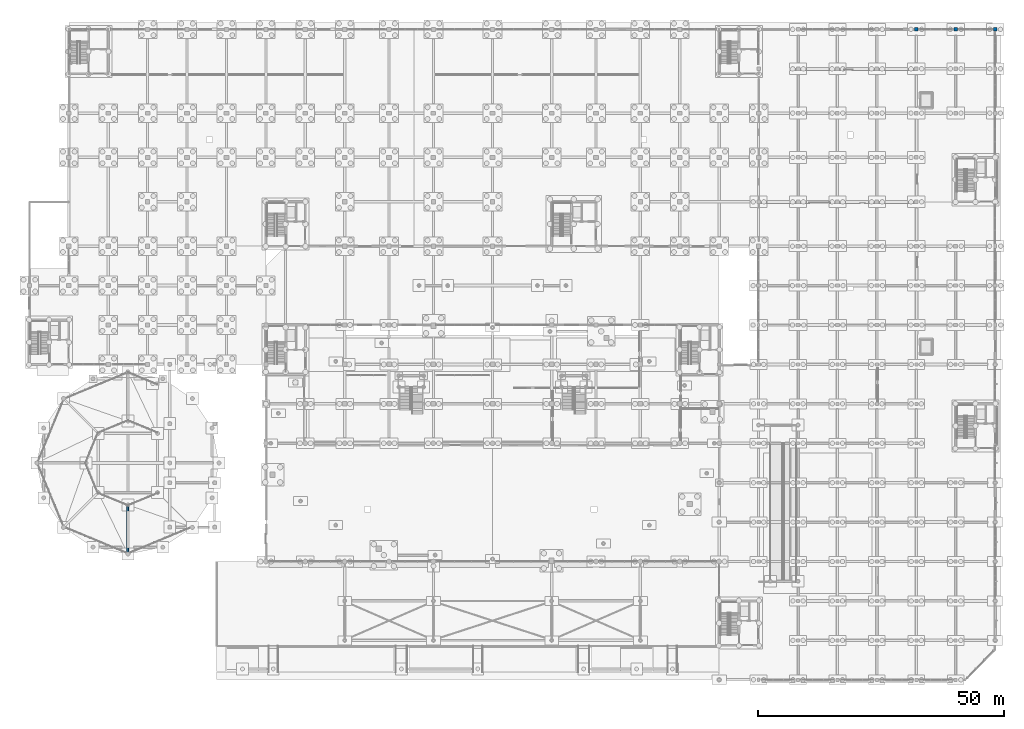
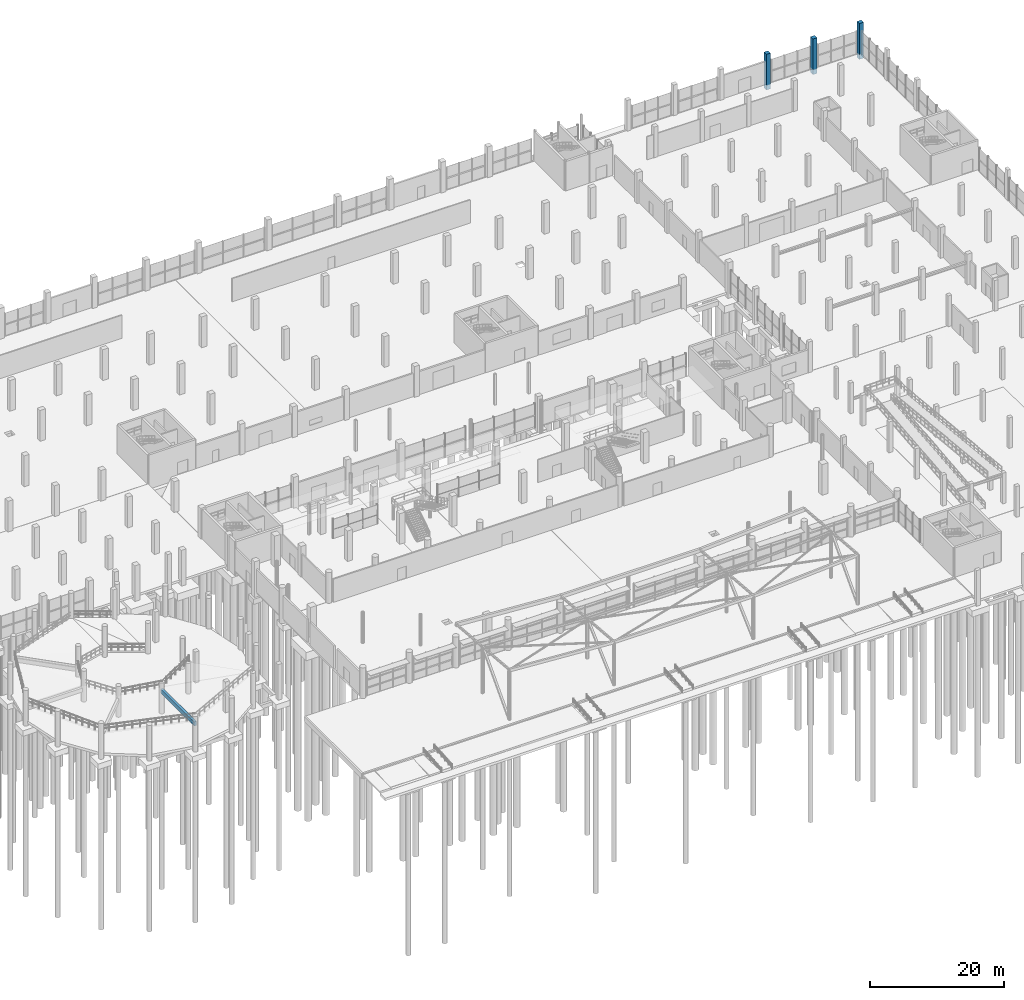
# One storey, part 34 of 98: 3 columns, 1 beam.
"""IFC4 building model written with IfcOpenShell, lengths in metres."""

from ifc_helpers import new_model, si_unit, derived_unit, direction, frame, origin, origin_2d, place, context, subcontext, project, spatial, rectangle, extrude, material, material_profile, profile_set, type_object, element, save


model = new_model("IFC4")

# Units and contexts
model_context = context("Model", 3, precision=1e-05, world=origin(), true_north=direction((0.0, 1.0)))
body_context = subcontext(model_context, "Body", "Model", "MODEL_VIEW")
ifc_project = project(units=[si_unit("LENGTHUNIT", "METRE"), si_unit("AREAUNIT", "SQUARE_METRE"), si_unit("VOLUMEUNIT", "CUBIC_METRE"), si_unit("PLANEANGLEUNIT", "RADIAN"), si_unit("MASSUNIT", "GRAM", prefix="KILO"), si_unit("THERMODYNAMICTEMPERATUREUNIT", "KELVIN"), derived_unit("THERMALTRANSMITTANCEUNIT", [(si_unit("POWERUNIT", "WATT"), 1), (si_unit("AREAUNIT", "SQUARE_METRE"), -1), (si_unit("THERMODYNAMICTEMPERATUREUNIT", "KELVIN"), -1)])], contexts=[model_context])

# Site, building, storey
site_placement = place(None, origin())
site = spatial("IfcSite", under=ifc_project, at=site_placement, CompositionType="ELEMENT")
building_placement = place(site_placement, origin())
building = spatial("IfcBuilding", under=site, at=building_placement, Name="Haiyu Intermodal Mobility Hub", CompositionType="ELEMENT")
storey_placement = place(building_placement, origin())
storey = spatial("IfcBuildingStorey", under=building, at=storey_placement, Name="L00", CompositionType="ELEMENT", Elevation=0.0)

# Columns
ifc_material = material(Name="Concrete C40", Category="concrete")
ifc_material_profile_1 = material_profile(ifc_material, rectangle(XDim=0.699951171875, YDim=0.699951171875, at=origin_2d()), Name="RC700x700")
ifc_profile_set_1 = profile_set([ifc_material_profile_1], Name="Concrete C40")
column_type = type_object("IfcColumnType", Name="COL-CC08-EXT", PredefinedType="COLUMN", material=ifc_profile_set_1)
for number, where, z_axis, x_axis, name in (
    (1, (194.0, 148.0, -0.89990234375), (0.0, 0.0, 1.0), (1.0, 0.0, 0.0), "Column V6-22S L00"),
    (2, (202.0, 148.0, -0.89990234375), (0.0, 0.0, 1.0), (1.0, 0.0, 0.0), "Column V6-23S L00"),
    (3, (210.0, 148.0, -0.89990234375), (0.0, 0.0, 1.0), (1.0, 0.0, 0.0), "Column V6-24S L00"),
):
    element("IfcColumn", number, at=place(storey_placement, frame(where, z_axis=z_axis, x_axis=x_axis)), inside=storey, type_object=column_type, Name=name, PredefinedType="COLUMN", context=body_context, shape_type="SweptSolid", body=[
        extrude(rectangle(XDim=0.699951171875, YDim=0.699951171875, at=origin_2d()), origin(), (0.0, 0.0, 1.0), 6.5),
    ])

# Beam
ifc_material_profile_2 = material_profile(ifc_material, rectangle(XDim=0.39990234375, YDim=0.719970703125, at=origin_2d()), Name="RCB400x720")
ifc_profile_set_2 = profile_set([ifc_material_profile_2], Name="Concrete C40")
beam_type = type_object("IfcBeamType", Name="BM-CB11", PredefinedType="BEAM", material=ifc_profile_set_2)
beam_placement = place(storey_placement, frame((34.0, 51.5, 4.02197265625), z_axis=(0.0, -1.0, 0.0), x_axis=(1.0, 0.0, 0.0)))
element("IfcBeam", 4, at=beam_placement, inside=storey, type_object=beam_type, Name="BM-RMPM-L00-05", PredefinedType="BEAM", context=body_context, shape_type="SweptSolid", body=[
    extrude(rectangle(XDim=0.39990234375, YDim=0.719970703125, at=origin_2d()), origin(), (0.0, 0.0, 1.0), 10.0),
])

save(model, "model.ifc")
